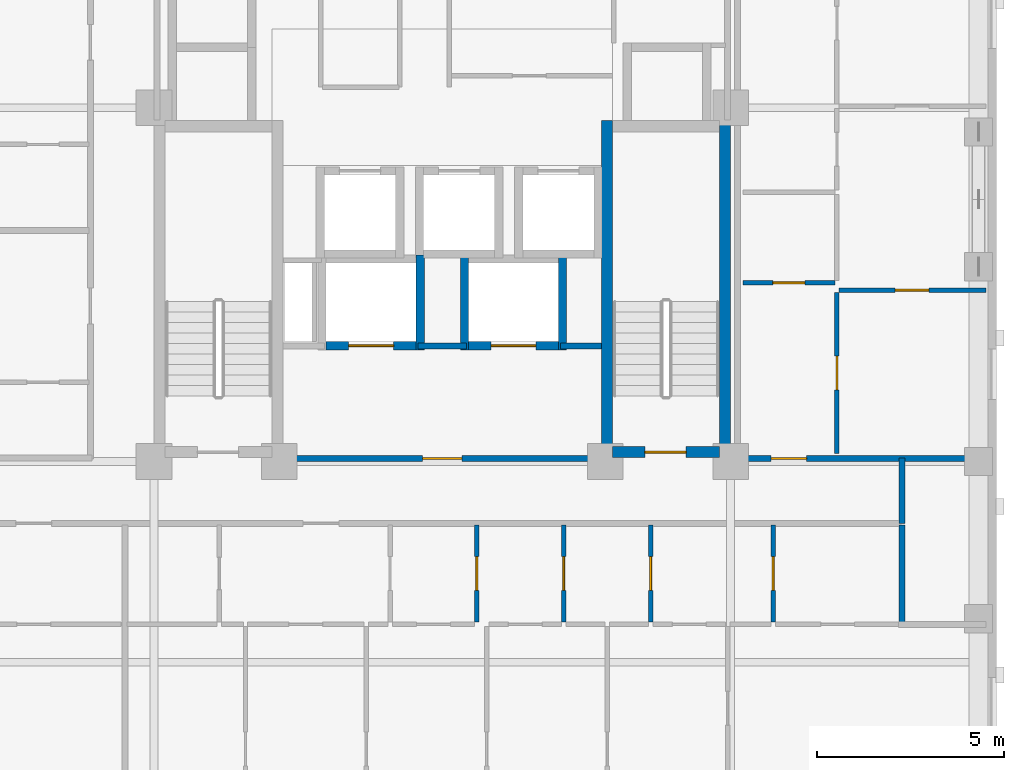
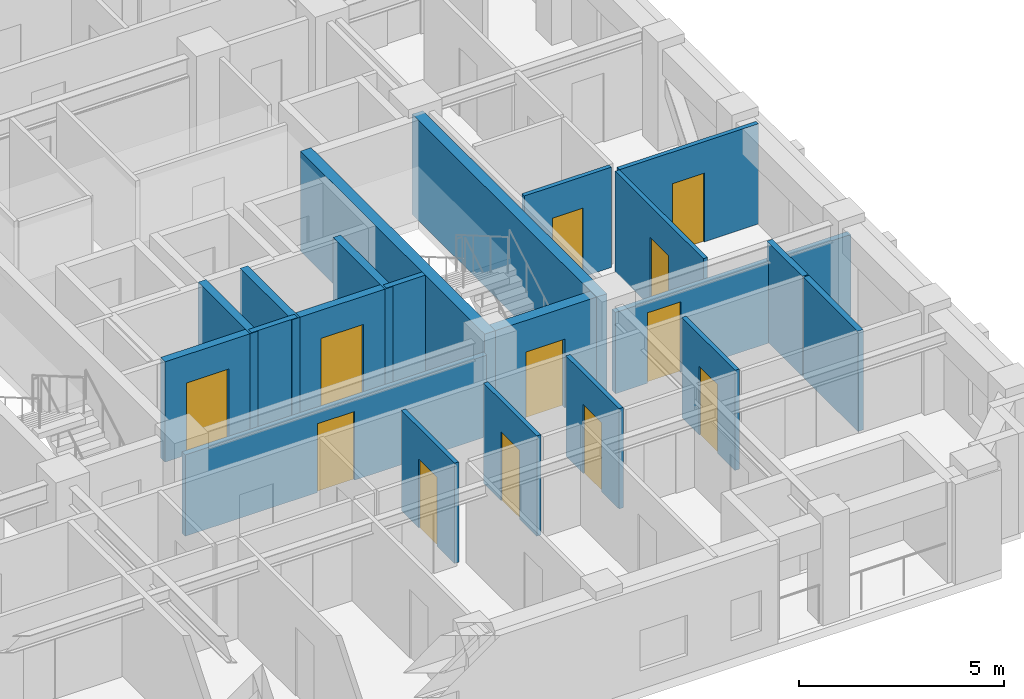
# One storey, part 4 of 11: 21 walls, 12 doors, 12 openings.
"""IFC4 building model written with IfcOpenShell, lengths in metres."""

from ifc_helpers import new_model, si_unit, derived_unit, direction, frame, frame_2d, origin, place, context, subcontext, project, spatial, rectangle, extrude, material, layer, layer_set, type_object, element, fill, save


model = new_model("IFC4")

# Units and contexts
model_context = context("Model", 3, precision=1e-05, world=origin(), true_north=direction((0.0, 1.0)))
body_context = subcontext(model_context, "Body", "Model", "MODEL_VIEW")
ifc_project = project(units=[si_unit("LENGTHUNIT", "METRE"), si_unit("AREAUNIT", "SQUARE_METRE"), si_unit("VOLUMEUNIT", "CUBIC_METRE"), si_unit("PLANEANGLEUNIT", "RADIAN"), si_unit("MASSUNIT", "GRAM", prefix="KILO"), derived_unit("THERMALTRANSMITTANCEUNIT", [(si_unit("MASSUNIT", "GRAM", prefix="KILO"), 1), (si_unit("TIMEUNIT", "SECOND"), -3), (si_unit("THERMODYNAMICTEMPERATUREUNIT", "KELVIN"), -1)])], contexts=[model_context])

# Site, building, storey
site_placement = place(None, origin())
site = spatial("IfcSite", under=ifc_project, at=site_placement, CompositionType="ELEMENT")
building_placement = place(site_placement, origin())
building = spatial("IfcBuilding", under=site, at=building_placement, Name="Korrvale Station Residences", CompositionType="ELEMENT")
storey_placement = place(building_placement, frame((0.0, 0.0, 143.89990234375)))
storey = spatial("IfcBuildingStorey", under=building, at=storey_placement, Name="L41", CompositionType="ELEMENT", Elevation=143.89990234375)

# Walls
ifc_material_1 = material(Name="Concrete C60/75", Category="concrete")
ifc_layer_1 = layer(ifc_material_1, 0.300048828125, Name="Concrete C60/75")
ifc_layer_set_1 = layer_set([ifc_layer_1], Name="Concrete C60/75")
wall_type_1 = type_object("IfcWallType", Name="WAL-CORE-300-C60", PredefinedType="SHEAR", material=ifc_layer_set_1)
for number, where, z_axis, x_axis, name in (
    (1, (29.89990234375, 15.10009765625, 0.0), (0.0, 0.0, 1.0), (0.0, 1.0, 0.0), "L41 ST-2 Core Shear Wall West"),
    (2, (33.050048828125, 15.10009765625, 0.0), (0.0, 0.0, 1.0), (0.0, 1.0, 0.0), "L41 ST-2 Core Shear Wall East"),
):
    element("IfcWall", number, at=place(storey_placement, frame(where, z_axis=z_axis, x_axis=x_axis)), inside=storey, type_object=wall_type_1, Name=name, PredefinedType="SHEAR", context=body_context, shape_type="SweptSolid", body=[
        extrude(rectangle(XDim=9.0, YDim=0.300048828125, at=frame_2d((4.5, 0.0))), origin(), (0.0, 0.0, 1.0), 2.989990234375),
    ])

# Wall, opening, door
wall_1_placement = place(storey_placement, frame((30.050048828125, 15.25, 0.0), z_axis=(0.0, 0.0, 1.0), x_axis=(1.0, 0.0, 0.0)))
wall_1 = element("IfcWall", 3, at=wall_1_placement, inside=storey, type_object=wall_type_1, Name="L41 ST-2 Core Shear Wall South", PredefinedType="SHEAR", context=body_context, shape_type="SweptSolid", body=[
    extrude(rectangle(XDim=2.849853515625, YDim=0.300048828125, at=frame_2d((1.4248046875, 0.0))), origin(), (0.0, 0.0, 1.0), 2.989990234375),
])
opening_1_placement = place(wall_1_placement, frame((0.860107421875, 0.0, 0.0)))
opening_1 = element("IfcOpeningElement", 4, at=opening_1_placement, cuts=wall_1, Name="Opening SD-1100", PredefinedType="OPENING", context=body_context, shape_type="SweptSolid", body=[
    extrude(rectangle(XDim=1.10009765625, YDim=2.050048828125, at=frame_2d((0.550048828125, 1.02490234375))), frame((0.0, 0.16015625, 0.0), z_axis=(0.0, -1.0, 0.0), x_axis=(1.0, 0.0, 0.0)), (0.0, 0.0, 1.0), 0.320068359375),
])
ifc_material_2 = material(Name="Hollow-metal fire-rated stair door with closer", Category="steel")
door_type_1 = type_object("IfcDoorType", Name="DR-STAIR-1100", OperationType="NOTDEFINED", PredefinedType="DOOR", material=ifc_material_2)
door_1_placement = place(opening_1_placement, origin())
door_1 = element("IfcDoor", 5, at=door_1_placement, inside=storey, type_object=door_type_1, Name="L41 ST-2 Exit Stair Door", OperationType="SINGLE_SWING_RIGHT", OverallHeight=2.050048828125, OverallWidth=1.10009765625, PredefinedType="DOOR", context=body_context, shape_type="SweptSolid", body=[
    extrude(rectangle(XDim=1.10009765625, YDim=2.050048828125, at=frame_2d((0.550048828125, 1.02490234375))), frame((0.0, 0.02490234375, 0.0), z_axis=(0.0, -1.0, 0.0), x_axis=(1.0, 0.0, 0.0)), (0.0, 0.0, 1.0), 0.050048828125),
])
fill(opening_1, door_1)

ifc_material_3 = material(Name="Acoustic steel-stud gypsum board partition", Category="steel")
ifc_layer_2 = layer(ifc_material_3, 0.1201171875, Name="Acoustic steel-stud gypsum board partition")
ifc_layer_set_2 = layer_set([ifc_layer_2], Name="Acoustic steel-stud gypsum board partition")
wall_type_2 = type_object("IfcWallType", Name="WAL-PART-125", PredefinedType="PARTITIONING", material=ifc_layer_set_2)
wall_2_placement = place(storey_placement, frame((26.424072265625, 10.7099609375, 0.0), z_axis=(0.0, 0.0, 1.0), x_axis=(0.0, 1.0, 0.0)))
wall_2 = element("IfcWall", 6, at=wall_2_placement, inside=storey, type_object=wall_type_2, Name="L41 Suite Partition U02-V23", PredefinedType="PARTITIONING", context=body_context, shape_type="SweptSolid", body=[
    extrude(rectangle(XDim=2.60009765625, YDim=0.1201171875, at=frame_2d((1.300048828125, 0.0))), origin(), (0.0, 0.0, 1.0), 2.989990234375),
])
opening_2_placement = place(wall_2_placement, frame((0.85009765625, 0.0, 0.0)))
opening_2 = element("IfcOpeningElement", 7, at=opening_2_placement, cuts=wall_2, Name="Opening DI-900", PredefinedType="OPENING", context=body_context, shape_type="SweptSolid", body=[
    extrude(rectangle(XDim=0.89990234375, YDim=2.050048828125, at=frame_2d((0.449951171875, 1.02490234375))), frame((0.0, 0.070068359375, 0.0), z_axis=(0.0, -1.0, 0.0), x_axis=(1.0, 0.0, 0.0)), (0.0, 0.0, 1.0), 0.14013671875),
])
ifc_material_4 = material(Name="Painted solid-core timber interior room door", Category="wood")
door_type_2 = type_object("IfcDoorType", Name="DR-INT-900", OperationType="NOTDEFINED", PredefinedType="DOOR", material=ifc_material_4)
door_2_placement = place(opening_2_placement, origin())
door_2 = element("IfcDoor", 8, at=door_2_placement, inside=storey, type_object=door_type_2, Name="L41 Studio Apartment L41-U02 Wardrobe Storage Room Door", OperationType="SINGLE_SWING_LEFT", OverallHeight=2.050048828125, OverallWidth=0.89990234375, PredefinedType="DOOR", context=body_context, shape_type="SweptSolid", body=[
    extrude(rectangle(XDim=0.89990234375, YDim=2.050048828125, at=frame_2d((0.449951171875, 1.02490234375))), frame((0.0, 0.02490234375, 0.0), z_axis=(0.0, -1.0, 0.0), x_axis=(1.0, 0.0, 0.0)), (0.0, 0.0, 1.0), 0.050048828125),
])
fill(opening_2, door_2)

wall_3_placement = place(storey_placement, frame((28.743896484375, 10.7099609375, 0.0), z_axis=(0.0, 0.0, 1.0), x_axis=(0.0, 1.0, 0.0)))
wall_3 = element("IfcWall", 9, at=wall_3_placement, inside=storey, type_object=wall_type_2, Name="L41 Suite Partition U02-V34", PredefinedType="PARTITIONING", context=body_context, shape_type="SweptSolid", body=[
    extrude(rectangle(XDim=2.60009765625, YDim=0.1201171875, at=frame_2d((1.300048828125, 0.0))), origin(), (0.0, 0.0, 1.0), 2.989990234375),
])
opening_3_placement = place(wall_3_placement, frame((0.85009765625, 0.0, 0.0)))
opening_3 = element("IfcOpeningElement", 10, at=opening_3_placement, cuts=wall_3, Name="Opening DI-900", PredefinedType="OPENING", context=body_context, shape_type="SweptSolid", body=[
    extrude(rectangle(XDim=0.89990234375, YDim=2.050048828125, at=frame_2d((0.449951171875, 1.02490234375))), frame((0.0, 0.070068359375, 0.0), z_axis=(0.0, -1.0, 0.0), x_axis=(1.0, 0.0, 0.0)), (0.0, 0.0, 1.0), 0.14013671875),
])
door_3_placement = place(opening_3_placement, origin())
door_3 = element("IfcDoor", 11, at=door_3_placement, inside=storey, type_object=door_type_2, Name="L41 Studio Apartment L41-U02 Wardrobe Storage Room Door", OperationType="SINGLE_SWING_LEFT", OverallHeight=2.050048828125, OverallWidth=0.89990234375, PredefinedType="DOOR", context=body_context, shape_type="SweptSolid", body=[
    extrude(rectangle(XDim=0.89990234375, YDim=2.050048828125, at=frame_2d((0.449951171875, 1.02490234375))), frame((0.0, 0.02490234375, 0.0), z_axis=(0.0, -1.0, 0.0), x_axis=(1.0, 0.0, 0.0)), (0.0, 0.0, 1.0), 0.050048828125),
])
fill(opening_3, door_3)

wall_4_placement = place(storey_placement, frame((31.06396484375, 10.7099609375, 0.0), z_axis=(0.0, 0.0, 1.0), x_axis=(0.0, 1.0, 0.0)))
wall_4 = element("IfcWall", 12, at=wall_4_placement, inside=storey, type_object=wall_type_2, Name="L41 Suite Partition U02-V45", PredefinedType="PARTITIONING", context=body_context, shape_type="SweptSolid", body=[
    extrude(rectangle(XDim=2.60009765625, YDim=0.1201171875, at=frame_2d((1.300048828125, 0.0))), origin(), (0.0, 0.0, 1.0), 2.989990234375),
])
opening_4_placement = place(wall_4_placement, frame((0.85009765625, 0.0, 0.0)))
opening_4 = element("IfcOpeningElement", 13, at=opening_4_placement, cuts=wall_4, Name="Opening DI-900", PredefinedType="OPENING", context=body_context, shape_type="SweptSolid", body=[
    extrude(rectangle(XDim=0.89990234375, YDim=2.050048828125, at=frame_2d((0.449951171875, 1.02490234375))), frame((0.0, 0.070068359375, 0.0), z_axis=(0.0, -1.0, 0.0), x_axis=(1.0, 0.0, 0.0)), (0.0, 0.0, 1.0), 0.14013671875),
])
door_4_placement = place(opening_4_placement, origin())
door_4 = element("IfcDoor", 14, at=door_4_placement, inside=storey, type_object=door_type_2, Name="L41 Studio Apartment L41-U02 Wardrobe Storage Room Door", OperationType="SINGLE_SWING_LEFT", OverallHeight=2.050048828125, OverallWidth=0.89990234375, PredefinedType="DOOR", context=body_context, shape_type="SweptSolid", body=[
    extrude(rectangle(XDim=0.89990234375, YDim=2.050048828125, at=frame_2d((0.449951171875, 1.02490234375))), frame((0.0, 0.02490234375, 0.0), z_axis=(0.0, -1.0, 0.0), x_axis=(1.0, 0.0, 0.0)), (0.0, 0.0, 1.0), 0.050048828125),
])
fill(opening_4, door_4)

wall_5_placement = place(storey_placement, frame((34.333984375, 10.7099609375, 0.0), z_axis=(0.0, 0.0, 1.0), x_axis=(0.0, 1.0, 0.0)))
wall_5 = element("IfcWall", 15, at=wall_5_placement, inside=storey, type_object=wall_type_2, Name="L41 Suite Partition U02-V56", PredefinedType="PARTITIONING", context=body_context, shape_type="SweptSolid", body=[
    extrude(rectangle(XDim=2.60009765625, YDim=0.1201171875, at=frame_2d((1.300048828125, 0.0))), origin(), (0.0, 0.0, 1.0), 2.989990234375),
])
opening_5_placement = place(wall_5_placement, frame((0.85009765625, 0.0, 0.0)))
opening_5 = element("IfcOpeningElement", 16, at=opening_5_placement, cuts=wall_5, Name="Opening DI-900", PredefinedType="OPENING", context=body_context, shape_type="SweptSolid", body=[
    extrude(rectangle(XDim=0.89990234375, YDim=2.050048828125, at=frame_2d((0.449951171875, 1.02490234375))), frame((0.0, 0.070068359375, 0.0), z_axis=(0.0, -1.0, 0.0), x_axis=(1.0, 0.0, 0.0)), (0.0, 0.0, 1.0), 0.14013671875),
])
door_5_placement = place(opening_5_placement, origin())
door_5 = element("IfcDoor", 17, at=door_5_placement, inside=storey, type_object=door_type_2, Name="L41 Studio Apartment L41-U02 Utility and Laundry Room Door", OperationType="SINGLE_SWING_RIGHT", OverallHeight=2.050048828125, OverallWidth=0.89990234375, PredefinedType="DOOR", context=body_context, shape_type="SweptSolid", body=[
    extrude(rectangle(XDim=0.89990234375, YDim=2.050048828125, at=frame_2d((0.449951171875, 1.02490234375))), frame((0.0, 0.02490234375, 0.0), z_axis=(0.0, -1.0, 0.0), x_axis=(1.0, 0.0, 0.0)), (0.0, 0.0, 1.0), 0.050048828125),
])
fill(opening_5, door_5)

wall_6_placement = place(storey_placement, frame((33.530029296875, 19.77001953125, 0.0), z_axis=(0.0, 0.0, 1.0), x_axis=(1.0, 0.0, 0.0)))
wall_6 = element("IfcWall", 18, at=wall_6_placement, inside=storey, type_object=wall_type_2, Name="L41 Suite Partition U09-H12", PredefinedType="PARTITIONING", context=body_context, shape_type="SweptSolid", body=[
    extrude(rectangle(XDim=2.449951171875, YDim=0.1201171875, at=frame_2d((1.22509765625, 0.0))), origin(), (0.0, 0.0, 1.0), 2.989990234375),
])
opening_6_placement = place(wall_6_placement, frame((0.794921875, 0.0, 0.0)))
opening_6 = element("IfcOpeningElement", 19, at=opening_6_placement, cuts=wall_6, Name="Opening DB-860", PredefinedType="OPENING", context=body_context, shape_type="SweptSolid", body=[
    extrude(rectangle(XDim=0.860107421875, YDim=2.050048828125, at=frame_2d((0.43017578125, 1.02490234375))), frame((0.0, 0.070068359375, 0.0), z_axis=(0.0, -1.0, 0.0), x_axis=(1.0, 0.0, 0.0)), (0.0, 0.0, 1.0), 0.14013671875),
])
ifc_material_5 = material(Name="Moisture-resistant solid-core bathroom door", Category="timber")
door_type_3 = type_object("IfcDoorType", Name="DR-BATH-860", OperationType="NOTDEFINED", PredefinedType="DOOR", material=ifc_material_5)
door_6_placement = place(opening_6_placement, origin())
door_6 = element("IfcDoor", 20, at=door_6_placement, inside=storey, type_object=door_type_3, Name="L41 Apartment 2BR L41-U09 Bathroom Door", OperationType="SINGLE_SWING_LEFT", OverallHeight=2.050048828125, OverallWidth=0.860107421875, PredefinedType="DOOR", context=body_context, shape_type="SweptSolid", body=[
    extrude(rectangle(XDim=0.860107421875, YDim=2.050048828125, at=frame_2d((0.43017578125, 1.02490234375))), frame((0.0, 0.02490234375, 0.0), z_axis=(0.0, -1.0, 0.0), x_axis=(1.0, 0.0, 0.0)), (0.0, 0.0, 1.0), 0.050048828125),
])
fill(opening_6, door_6)

wall_7_placement = place(storey_placement, frame((36.0400390625, 15.2099609375, 0.0), z_axis=(0.0, 0.0, 1.0), x_axis=(0.0, 1.0, 0.0)))
wall_7 = element("IfcWall", 21, at=wall_7_placement, inside=storey, type_object=wall_type_2, Name="L41 Suite Partition U09-V23", PredefinedType="PARTITIONING", context=body_context, shape_type="SweptSolid", body=[
    extrude(rectangle(XDim=4.30810546875, YDim=0.1201171875, at=frame_2d((2.154052734375, 0.0))), origin(), (0.0, 0.0, 1.0), 2.989990234375),
])
opening_7_placement = place(wall_7_placement, frame((1.7041015625, 0.0, 0.0)))
opening_7 = element("IfcOpeningElement", 22, at=opening_7_placement, cuts=wall_7, Name="Opening DI-900", PredefinedType="OPENING", context=body_context, shape_type="SweptSolid", body=[
    extrude(rectangle(XDim=0.89990234375, YDim=2.050048828125, at=frame_2d((0.449951171875, 1.02490234375))), frame((0.0, 0.070068359375, 0.0), z_axis=(0.0, -1.0, 0.0), x_axis=(1.0, 0.0, 0.0)), (0.0, 0.0, 1.0), 0.14013671875),
])
door_7_placement = place(opening_7_placement, origin())
door_7 = element("IfcDoor", 23, at=door_7_placement, inside=storey, type_object=door_type_2, Name="L41 Apartment 2BR L41-U09 Kitchen Door", OperationType="SINGLE_SWING_RIGHT", OverallHeight=2.050048828125, OverallWidth=0.89990234375, PredefinedType="DOOR", context=body_context, shape_type="SweptSolid", body=[
    extrude(rectangle(XDim=0.89990234375, YDim=2.050048828125, at=frame_2d((0.449951171875, 1.02490234375))), frame((0.0, 0.02490234375, 0.0), z_axis=(0.0, -1.0, 0.0), x_axis=(1.0, 0.0, 0.0)), (0.0, 0.0, 1.0), 0.050048828125),
])
fill(opening_7, door_7)

wall_8_placement = place(storey_placement, frame((36.10009765625, 19.577880859375, 0.0), z_axis=(0.0, 0.0, 1.0), x_axis=(1.0, 0.0, 0.0)))
wall_8 = element("IfcWall", 24, at=wall_8_placement, inside=storey, type_object=wall_type_2, Name="L41 Suite Partition U09-H34", PredefinedType="PARTITIONING", context=body_context, shape_type="SweptSolid", body=[
    extrude(rectangle(XDim=3.919921875, YDim=0.1201171875, at=frame_2d((1.9599609375, 0.0))), origin(), (0.0, 0.0, 1.0), 2.989990234375),
])
opening_8_placement = place(wall_8_placement, frame((1.4951171875, 0.0, 0.0)))
opening_8 = element("IfcOpeningElement", 25, at=opening_8_placement, cuts=wall_8, Name="Opening DI-900", PredefinedType="OPENING", context=body_context, shape_type="SweptSolid", body=[
    extrude(rectangle(XDim=0.89990234375, YDim=2.050048828125, at=frame_2d((0.449951171875, 1.02490234375))), frame((0.0, 0.070068359375, 0.0), z_axis=(0.0, -1.0, 0.0), x_axis=(1.0, 0.0, 0.0)), (0.0, 0.0, 1.0), 0.14013671875),
])
door_8_placement = place(opening_8_placement, origin())
door_8 = element("IfcDoor", 26, at=door_8_placement, inside=storey, type_object=door_type_2, Name="L41 Apartment 2BR L41-U09 Bedroom 1 Door", OperationType="SINGLE_SWING_LEFT", OverallHeight=2.050048828125, OverallWidth=0.89990234375, PredefinedType="DOOR", context=body_context, shape_type="SweptSolid", body=[
    extrude(rectangle(XDim=0.89990234375, YDim=2.050048828125, at=frame_2d((0.449951171875, 1.02490234375))), frame((0.0, 0.02490234375, 0.0), z_axis=(0.0, -1.0, 0.0), x_axis=(1.0, 0.0, 0.0)), (0.0, 0.0, 1.0), 0.050048828125),
])
fill(opening_8, door_8)

ifc_material_6 = material(Name="Fire-rated twin-stud gypsum and mineral wool shaftwall assembly", Category="gypsum")
ifc_layer_3 = layer(ifc_material_6, 0.159912109375, Name="Fire-rated twin-stud gypsum and mineral wool shaftwall assembly")
ifc_layer_set_3 = layer_set([ifc_layer_3], Name="Fire-rated twin-stud gypsum and mineral wool shaftwall assembly")
wall_type_3 = type_object("IfcWallType", Name="WAL-PART-200", PredefinedType="PARTITIONING", material=ifc_layer_set_3)
wall_9_placement = place(storey_placement, frame((21.25, 15.080078125, 0.0), z_axis=(0.0, 0.0, 1.0), x_axis=(1.0, 0.0, 0.0)))
wall_9 = element("IfcWall", 27, at=wall_9_placement, inside=storey, type_object=wall_type_3, Name="L41 Core Partition CW-FFL-S", PredefinedType="PARTITIONING", context=body_context, shape_type="SweptSolid", body=[
    extrude(rectangle(XDim=8.5, YDim=0.159912109375, at=frame_2d((4.25, 0.0))), origin(), (0.0, 0.0, 1.0), 2.426025390625),
])
opening_9_placement = place(wall_9_placement, frame((3.72509765625, 0.0, 0.0)))
opening_9 = element("IfcOpeningElement", 28, at=opening_9_placement, cuts=wall_9, Name="Opening FD-1050", PredefinedType="OPENING", context=body_context, shape_type="SweptSolid", body=[
    extrude(rectangle(XDim=1.050048828125, YDim=2.050048828125, at=frame_2d((0.52490234375, 1.02490234375))), frame((0.0, 0.08984375, 0.0), z_axis=(0.0, -1.0, 0.0), x_axis=(1.0, 0.0, 0.0)), (0.0, 0.0, 1.0), 0.179931640625),
])
ifc_material_7 = material(Name="Fire-rated mineral-core timber lobby door", Category="wood")
door_type_4 = type_object("IfcDoorType", Name="DR-CORE-1050", OperationType="NOTDEFINED", PredefinedType="DOOR", material=ifc_material_7)
door_9_placement = place(opening_9_placement, origin())
door_9 = element("IfcDoor", 29, at=door_9_placement, inside=storey, type_object=door_type_4, Name="L41 Firefighting Lobby Entry Door", OperationType="SINGLE_SWING_RIGHT", OverallHeight=2.050048828125, OverallWidth=1.050048828125, PredefinedType="DOOR", context=body_context, shape_type="SweptSolid", body=[
    extrude(rectangle(XDim=1.050048828125, YDim=2.050048828125, at=frame_2d((0.52490234375, 1.02490234375))), frame((0.0, 0.02490234375, 0.0), z_axis=(0.0, -1.0, 0.0), x_axis=(1.0, 0.0, 0.0)), (0.0, 0.0, 1.0), 0.050048828125),
])
fill(opening_9, door_9)

# Walls
wall_10_placement = place(storey_placement, frame((24.85009765625, 18.080078125, 0.0), z_axis=(0.0, 0.0, 1.0), x_axis=(1.0, 0.0, 0.0)))
element("IfcWall", 30, at=wall_10_placement, inside=storey, type_object=wall_type_3, Name="L41 Core Partition CW-FFL-N2", PredefinedType="PARTITIONING", context=body_context, shape_type="SweptSolid", body=[
    extrude(rectangle(XDim=1.2998046875, YDim=0.159912109375, at=frame_2d((0.64990234375, 0.0))), origin(), (0.0, 0.0, 1.0), 2.989990234375),
])
wall_11_placement = place(storey_placement, frame((28.64990234375, 18.080078125, 0.0), z_axis=(0.0, 0.0, 1.0), x_axis=(1.0, 0.0, 0.0)))
element("IfcWall", 31, at=wall_11_placement, inside=storey, type_object=wall_type_3, Name="L41 Core Partition CW-FFL-N3", PredefinedType="PARTITIONING", context=body_context, shape_type="SweptSolid", body=[
    extrude(rectangle(XDim=1.10009765625, YDim=0.159912109375, at=frame_2d((0.550048828125, 0.0))), origin(), (0.0, 0.0, 1.0), 2.989990234375),
])
wall_12_placement = place(storey_placement, frame((37.780029296875, 13.35009765625, 0.0), z_axis=(0.0, 0.0, 1.0), x_axis=(0.0, 1.0, 0.0)))
element("IfcWall", 32, at=wall_12_placement, inside=storey, type_object=wall_type_3, Name="L41 Corridor South East Cap", PredefinedType="PARTITIONING", context=body_context, shape_type="SweptSolid", body=[
    extrude(rectangle(XDim=1.739990234375, YDim=0.159912109375, at=frame_2d((0.8701171875, 0.0))), origin(), (0.0, 0.0, 1.0), 2.989990234375),
])
wall_13_placement = place(storey_placement, frame((37.780029296875, 10.64990234375, 0.0), z_axis=(0.0, 0.0, 1.0), x_axis=(0.0, 1.0, 0.0)))
element("IfcWall", 33, at=wall_13_placement, inside=storey, type_object=wall_type_3, Name="L41 Corner Step Cheek U02-R", PredefinedType="PARTITIONING", context=body_context, shape_type="SweptSolid", body=[
    extrude(rectangle(XDim=2.66015625, YDim=0.159912109375, at=frame_2d((1.330078125, 0.0))), origin(), (0.0, 0.0, 1.0), 2.989990234375),
])

# Wall, opening, door
wall_14_placement = place(storey_placement, frame((33.3798828125, 15.080078125, 0.0), z_axis=(0.0, 0.0, 1.0), x_axis=(1.0, 0.0, 0.0)))
wall_14 = element("IfcWall", 34, at=wall_14_placement, inside=storey, type_object=wall_type_3, Name="L41 Side Suite South Entry Wall U09", PredefinedType="PARTITIONING", context=body_context, shape_type="SweptSolid", body=[
    extrude(rectangle(XDim=6.64013671875, YDim=0.159912109375, at=frame_2d((3.320068359375, 0.0))), origin(), (0.0, 0.0, 1.0), 2.426025390625),
])
opening_10_placement = place(wall_14_placement, frame((0.89990234375, 0.0, 0.0)))
opening_10 = element("IfcOpeningElement", 35, at=opening_10_placement, cuts=wall_14, Name="Opening UD-950", PredefinedType="OPENING", context=body_context, shape_type="SweptSolid", body=[
    extrude(rectangle(XDim=0.949951171875, YDim=2.10009765625, at=frame_2d((0.47509765625, 1.050048828125))), frame((0.0, 0.08984375, 0.0), z_axis=(0.0, -1.0, 0.0), x_axis=(1.0, 0.0, 0.0)), (0.0, 0.0, 1.0), 0.179931640625),
])
ifc_material_8 = material(Name="Solid-core acoustic oak apartment entrance door", Category="timber")
door_type_5 = type_object("IfcDoorType", Name="DR-UNIT-950", OperationType="NOTDEFINED", PredefinedType="DOOR", material=ifc_material_8)
door_10_placement = place(opening_10_placement, origin())
door_10 = element("IfcDoor", 36, at=door_10_placement, inside=storey, type_object=door_type_5, Name="L41 Apartment L41-U09 Entrance Door", OperationType="SINGLE_SWING_RIGHT", OverallHeight=2.10009765625, OverallWidth=0.949951171875, PredefinedType="DOOR", context=body_context, shape_type="SweptSolid", body=[
    extrude(rectangle(XDim=0.949951171875, YDim=2.10009765625, at=frame_2d((0.47509765625, 1.050048828125))), frame((0.0, 0.02490234375, 0.0), z_axis=(0.0, -1.0, 0.0), x_axis=(1.0, 0.0, 0.0)), (0.0, 0.0, 1.0), 0.050048828125),
])
fill(opening_10, door_10)

ifc_layer_4 = layer(ifc_material_1, 0.219970703125, Name="Concrete C60/75")
ifc_layer_set_4 = layer_set([ifc_layer_4], Name="Concrete C60/75")
wall_type_4 = type_object("IfcWallType", Name="WAL-SHAFT-220-C60", PredefinedType="SHEAR", material=ifc_layer_set_4)
wall_15_placement = place(storey_placement, frame((22.39990234375, 18.090087890625, 0.0), z_axis=(0.0, 0.0, 1.0), x_axis=(1.0, 0.0, 0.0)))
wall_15 = element("IfcWall", 37, at=wall_15_placement, inside=storey, type_object=wall_type_4, Name="L41 Elevator FFL-1 Hoistway Wall South", PredefinedType="SHEAR", context=body_context, shape_type="SweptSolid", body=[
    extrude(rectangle(XDim=2.400146484375, YDim=0.219970703125, at=frame_2d((1.2001953125, 0.0))), origin(), (0.0, 0.0, 1.0), 2.989990234375),
])
opening_11_placement = place(wall_15_placement, frame((0.60009765625, 0.0, 0.0)))
opening_11 = element("IfcOpeningElement", 38, at=opening_11_placement, cuts=wall_15, Name="Opening LD-FF1200", PredefinedType="OPENING", context=body_context, shape_type="SweptSolid", body=[
    extrude(rectangle(XDim=1.199951171875, YDim=2.14990234375, at=frame_2d((0.60009765625, 1.074951171875))), frame((0.0, 0.1201171875, 0.0), z_axis=(0.0, -1.0, 0.0), x_axis=(1.0, 0.0, 0.0)), (0.0, 0.0, 1.0), 0.239990234375),
])
ifc_material_9 = material(Name="Stainless-steel firefighter elevator landing sliding door", Category="steel")
door_type_6 = type_object("IfcDoorType", Name="DR-LIFT-FF1200", OperationType="SLIDING_TO_LEFT", PredefinedType="DOOR", material=ifc_material_9)
door_11_placement = place(opening_11_placement, origin())
door_11 = element("IfcDoor", 39, at=door_11_placement, inside=storey, type_object=door_type_6, Name="L41 Elevator FFL-1 Sliding Landing Door", OperationType="SLIDING_TO_LEFT", OverallHeight=2.14990234375, OverallWidth=1.199951171875, PredefinedType="DOOR", context=body_context, shape_type="SweptSolid", body=[
    extrude(rectangle(XDim=1.199951171875, YDim=2.14990234375, at=frame_2d((0.60009765625, 1.074951171875))), frame((0.0, 0.02490234375, 0.0), z_axis=(0.0, -1.0, 0.0), x_axis=(1.0, 0.0, 0.0)), (0.0, 0.0, 1.0), 0.050048828125),
])
fill(opening_11, door_11)

# Wall
wall_16_placement = place(storey_placement, frame((24.909912109375, 17.97998046875, 0.0), z_axis=(0.0, 0.0, 1.0), x_axis=(0.0, 1.0, 0.0)))
element("IfcWall", 40, at=wall_16_placement, inside=storey, type_object=wall_type_4, Name="L41 Elevator FFL-1 Hoistway Wall East", PredefinedType="SHEAR", context=body_context, shape_type="SweptSolid", body=[
    extrude(rectangle(XDim=2.5400390625, YDim=0.219970703125, at=frame_2d((1.27001953125, 0.0))), origin(), (0.0, 0.0, 1.0), 2.989990234375),
])

# Wall, opening, door
wall_17_placement = place(storey_placement, frame((26.199951171875, 18.090087890625, 0.0), z_axis=(0.0, 0.0, 1.0), x_axis=(1.0, 0.0, 0.0)))
wall_17 = element("IfcWall", 41, at=wall_17_placement, inside=storey, type_object=wall_type_4, Name="L41 Elevator FFL-2 Hoistway Wall South", PredefinedType="SHEAR", context=body_context, shape_type="SweptSolid", body=[
    extrude(rectangle(XDim=2.400146484375, YDim=0.219970703125, at=frame_2d((1.2001953125, 0.0))), origin(), (0.0, 0.0, 1.0), 2.989990234375),
])
opening_12_placement = place(wall_17_placement, frame((0.60009765625, 0.0, 0.0)))
opening_12 = element("IfcOpeningElement", 42, at=opening_12_placement, cuts=wall_17, Name="Opening LD-FF1200", PredefinedType="OPENING", context=body_context, shape_type="SweptSolid", body=[
    extrude(rectangle(XDim=1.199951171875, YDim=2.14990234375, at=frame_2d((0.60009765625, 1.074951171875))), frame((0.0, 0.1201171875, 0.0), z_axis=(0.0, -1.0, 0.0), x_axis=(1.0, 0.0, 0.0)), (0.0, 0.0, 1.0), 0.239990234375),
])
door_12_placement = place(opening_12_placement, origin())
door_12 = element("IfcDoor", 43, at=door_12_placement, inside=storey, type_object=door_type_6, Name="L41 Elevator FFL-2 Sliding Landing Door", OperationType="SLIDING_TO_LEFT", OverallHeight=2.14990234375, OverallWidth=1.199951171875, PredefinedType="DOOR", context=body_context, shape_type="SweptSolid", body=[
    extrude(rectangle(XDim=1.199951171875, YDim=2.14990234375, at=frame_2d((0.60009765625, 1.074951171875))), frame((0.0, 0.02490234375, 0.0), z_axis=(0.0, -1.0, 0.0), x_axis=(1.0, 0.0, 0.0)), (0.0, 0.0, 1.0), 0.050048828125),
])
fill(opening_12, door_12)

# Walls
for number, where, z_axis, x_axis, name in (
    (44, (26.090087890625, 17.97998046875, 0.0), (0.0, 0.0, 1.0), (0.0, 1.0, 0.0), "L41 Elevator FFL-2 Hoistway Wall West"),
    (45, (28.7099609375, 17.97998046875, 0.0), (0.0, 0.0, 1.0), (0.0, 1.0, 0.0), "L41 Elevator FFL-2 Hoistway Wall East"),
):
    element("IfcWall", number, at=place(storey_placement, frame(where, z_axis=z_axis, x_axis=x_axis)), inside=storey, type_object=wall_type_4, Name=name, PredefinedType="SHEAR", context=body_context, shape_type="SweptSolid", body=[
        extrude(rectangle(XDim=2.5400390625, YDim=0.219970703125, at=frame_2d((1.27001953125, 0.0))), origin(), (0.0, 0.0, 1.0), 2.989990234375),
    ])

save(model, "model.ifc")
